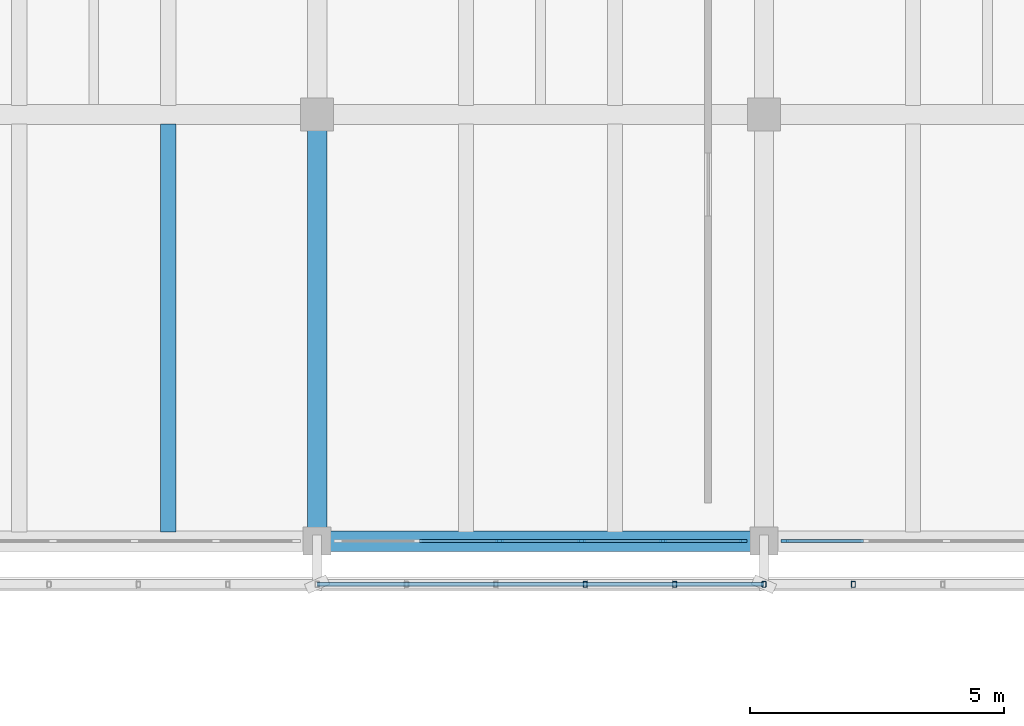
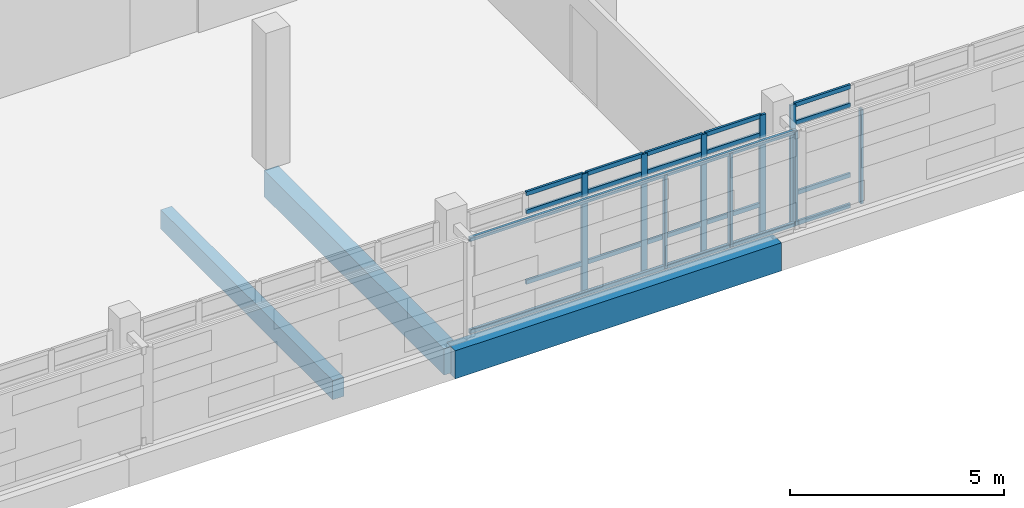
# One storey, part 58 of 117: 31 members, 3 beams, 2 elements without a shape of their own.
"""IFC4 building model written with IfcOpenShell, lengths in metres."""

import ifcopenshell
import ifcopenshell.guid

model = None  # the IFC model being written
_history = None  # IfcOwnerHistory: only IFC2X3 demands one
_inside = {}  # id of a spatial element -> (the spatial element, [elements in it])
_under = {}  # id of a project, library or spatial element -> (it, [spatial elements below it])
_declared = {}  # id of a project -> (the project, [libraries it declares])
_typed = {}  # id of a type object -> (the type object, [elements of that type])
_made_of = {}  # id of a material, layer set ... -> (it, [elements and type objects made of it])


def new_model(schema):
    """Start an empty IFC model of exactly this schema.

    Asked for "IFC4X3", IfcOpenShell would pick the latest addendum, in which some entities
    have other attributes; the version numbers below select the first issue.
    IFC2X3 requires an IfcOwnerHistory on every rooted entity: one is made here for all.
    """
    global model, _history
    if schema == "IFC4X3":
        model = ifcopenshell.file(schema_version=(4, 3, 0, 0))
    else:
        model = ifcopenshell.file(schema=schema)
    _inside.clear()
    _under.clear()
    _declared.clear()
    _typed.clear()
    _made_of.clear()
    _history = None
    if model.schema == "IFC2X3":
        org = make("IfcOrganization", Name="unknown")
        user = make(
            "IfcPersonAndOrganization",
            ThePerson=make("IfcPerson", FamilyName="unknown"),
            TheOrganization=org,
        )
        app = make(
            "IfcApplication",
            ApplicationDeveloper=org,
            Version="unknown",
            ApplicationFullName="unknown",
            ApplicationIdentifier="unknown",
        )
        _history = make(
            "IfcOwnerHistory",
            OwningUser=user,
            OwningApplication=app,
            ChangeAction="ADDED",
            CreationDate=0,
        )
    return model


def make(cls, **values):
    """One entity of the class cls with the attributes given. An attribute that is None is left unset."""
    return model.create_entity(
        cls, **{name: value for name, value in values.items() if value is not None}
    )


def rooted(cls, **values):
    """An entity with a GlobalId (a new one), such as an element, a storey or a relation."""
    return make(cls, GlobalId=ifcopenshell.guid.new(), OwnerHistory=_history, **values)


def si_unit(unit_type, name, prefix=None):
    """IfcSIUnit, for example si_unit("LENGTHUNIT", "METRE", prefix="MILLI")."""
    return make("IfcSIUnit", UnitType=unit_type, Prefix=prefix, Name=name)


def assignment(units):
    """IfcUnitAssignment: the units of a project."""
    return None if units is None else make("IfcUnitAssignment", Units=units)


def point(xyz):
    """IfcCartesianPoint."""
    return None if xyz is None else make("IfcCartesianPoint", Coordinates=xyz)


def direction(xyz):
    """IfcDirection."""
    return None if xyz is None else make("IfcDirection", DirectionRatios=xyz)


def frame(location, z_axis=None, x_axis=None):
    """IfcAxis2Placement3D, a coordinate frame: its origin and axes. An axis left out is left unset."""
    return make(
        "IfcAxis2Placement3D",
        Location=point(location),
        Axis=direction(z_axis),
        RefDirection=direction(x_axis),
    )


def frame_2d(location, x_axis=None):
    """IfcAxis2Placement2D, a coordinate frame in the plane: its origin and x axis."""
    return make(
        "IfcAxis2Placement2D", Location=point(location), RefDirection=direction(x_axis)
    )


def origin():
    """The frame at (0, 0, 0) with its axes left unset."""
    return frame((0.0, 0.0, 0.0))


def origin_2d():
    """The frame at (0, 0) in the plane with its x axis left unset."""
    return frame_2d((0.0, 0.0))


def place(relative_to, where):
    """IfcLocalPlacement: puts the frame where relative to a parent placement (None: the world)."""
    return make(
        "IfcLocalPlacement", PlacementRelTo=relative_to, RelativePlacement=where
    )


def context(
    kind, dimensions, precision=None, world=None, true_north=None, identifier=None
):
    """IfcGeometricRepresentationContext, for example the 3D "Model" context."""
    return make(
        "IfcGeometricRepresentationContext",
        ContextIdentifier=identifier,
        ContextType=kind,
        CoordinateSpaceDimension=dimensions,
        Precision=precision,
        WorldCoordinateSystem=world,
        TrueNorth=true_north,
    )


def subcontext(parent, identifier, kind, view, scale=None):
    """IfcGeometricRepresentationSubContext, for example "Body" below "Model"."""
    return make(
        "IfcGeometricRepresentationSubContext",
        ContextIdentifier=identifier,
        ContextType=kind,
        ParentContext=parent,
        TargetScale=scale,
        TargetView=view,
    )


def project(units=None, contexts=None):
    """IfcProject with its units and contexts."""
    return rooted(
        "IfcProject",
        Name="project",
        RepresentationContexts=contexts,
        UnitsInContext=assignment(units),
    )


def spatial(cls, under=None, at=None, **own):
    """A site, building, storey or space (cls), placed at a placement, below another one or the project."""
    s = rooted(cls, ObjectPlacement=at, **own)
    if under is not None:
        _under.setdefault(under.id(), (under, []))[1].append(s)
    return s


def profile(cls, at=None, kind="AREA", **sizes):
    """A parametric profile (cls). Its sizes go by their IFC names, for example OverallWidth=200.0."""
    return make(cls, ProfileType=kind, Position=at, **sizes)


def rectangle(**sizes):
    """IfcRectangleProfileDef."""
    return profile("IfcRectangleProfileDef", **sizes)


def hollow_rectangle(**sizes):
    """IfcRectangleHollowProfileDef."""
    return profile("IfcRectangleHollowProfileDef", **sizes)


def extrude(swept, where, along, depth):
    """IfcExtrudedAreaSolid: the profile swept, set in the frame where, extruded along a direction by depth."""
    return make(
        "IfcExtrudedAreaSolid",
        SweptArea=swept,
        Position=where,
        ExtrudedDirection=direction(along),
        Depth=depth,
    )


def shape(context_of_items, identifier, shape_type, items):
    """IfcShapeRepresentation: the items that make up one representation, for example the "Body"."""
    return make(
        "IfcShapeRepresentation",
        ContextOfItems=context_of_items,
        RepresentationIdentifier=identifier,
        RepresentationType=shape_type,
        Items=items,
    )


def material(Name=None, Category=None):
    """IfcMaterial."""
    return make("IfcMaterial", Name=Name, Category=Category)


def material_profile(
    of_material, cross_section, Name=None, Category=None, Priority=None
):
    """IfcMaterialProfile: a cross section and its material."""
    return make(
        "IfcMaterialProfile",
        Name=Name,
        Material=of_material,
        Profile=cross_section,
        Priority=Priority,
        Category=Category,
    )


def profile_set(profiles, Name=None, composite=None):
    """IfcMaterialProfileSet."""
    return make(
        "IfcMaterialProfileSet",
        Name=Name,
        MaterialProfiles=profiles,
        CompositeProfile=composite,
    )


def made_of(thing, what):
    """Note that an element or type object is made of a material, layer set ...; save() writes the relation."""
    if what is not None:
        _made_of.setdefault(what.id(), (what, []))[1].append(thing)
    return thing


def type_object(cls, material=None, **own):
    """A type object (cls), such as IfcWallType, which elements share."""
    return made_of(rooted(cls, **own), material)


def element(
    cls,
    number,
    at=None,
    inside=None,
    cuts=None,
    type_object=None,
    material=None,
    context=None,
    identifier="Body",
    shape_type=None,
    held_by="IfcProductDefinitionShape",
    body=None,
    shapes=None,
    **own,
):
    """One element of the class cls, such as IfcWall. Its Tag is "e" and its number.

    at: its placement. inside: the storey or other place that contains it. cuts: it is an
    opening in that element (IfcRelVoidsElement). A single representation is given by context,
    identifier, shape_type and body (its items); several are given by shapes. held_by: the class
    of the entity that holds the representations. save() writes the other relations.
    """
    e = rooted(cls, Tag="e%d" % number, ObjectPlacement=at, **own)
    if body is not None:
        shapes = [shape(context, identifier, shape_type, body)]
    if shapes is not None:
        e.Representation = make(held_by, Representations=shapes)
    if inside is not None:
        _inside.setdefault(inside.id(), (inside, []))[1].append(e)
    if cuts is not None:
        rooted(
            "IfcRelVoidsElement", RelatingBuildingElement=cuts, RelatedOpeningElement=e
        )
    if type_object is not None:
        _typed.setdefault(type_object.id(), (type_object, []))[1].append(e)
    return made_of(e, material)


def aggregate(whole, parts):
    """IfcRelAggregates: a whole, such as a stair, and the parts it consists of."""
    return rooted("IfcRelAggregates", RelatingObject=whole, RelatedObjects=parts)


def save(model, path):
    """Write the relations noted so far, then the file.

    IfcRelAggregates (storeys below a building ...), IfcRelContainedInSpatialStructure (elements
    in a storey), IfcRelDefinesByType, IfcRelAssociatesMaterial and IfcRelDeclares: one each for
    every whole, place, type object, material and project.
    """
    for whole, parts in _under.values():
        aggregate(whole, parts)
    for where, things in _inside.values():
        rooted(
            "IfcRelContainedInSpatialStructure",
            RelatedElements=things,
            RelatingStructure=where,
        )
    for kind, things in _typed.values():
        rooted("IfcRelDefinesByType", RelatedObjects=things, RelatingType=kind)
    for what, things in _made_of.values():
        rooted("IfcRelAssociatesMaterial", RelatedObjects=things, RelatingMaterial=what)
    for by, libraries in _declared.values():
        rooted("IfcRelDeclares", RelatingContext=by, RelatedDefinitions=libraries)
    model.write(path)


model = new_model("IFC4")

# Units and contexts
model_context = context("Model", 3, precision=1e-05, world=origin(), true_north=direction((0.0, 1.0)))
body_context = subcontext(model_context, "Body", "Model", "MODEL_VIEW")
ifc_project = project(units=[si_unit("LENGTHUNIT", "METRE"), si_unit("AREAUNIT", "SQUARE_METRE"), si_unit("VOLUMEUNIT", "CUBIC_METRE"), si_unit("PLANEANGLEUNIT", "RADIAN"), si_unit("MASSUNIT", "GRAM", prefix="KILO")], contexts=[model_context])

# Site, building, storey
site_placement = place(None, origin())
site = spatial("IfcSite", under=ifc_project, at=site_placement, CompositionType="ELEMENT")
building_placement = place(site_placement, origin())
building = spatial("IfcBuilding", under=site, at=building_placement, Name="Cinderway Yard Community Centre", CompositionType="ELEMENT")
storey_placement = place(building_placement, frame((0.0, 0.0, 9.0)))
storey = spatial("IfcBuildingStorey", under=building, at=storey_placement, Name="L02", CompositionType="ELEMENT", Elevation=9.0)

# Curtain wall, members
ifc_material_1 = material(Name="Aluminium 6063-T6", Category="aluminium")
curtain_wall_type = type_object("IfcCurtainWallType", Name="ENV-CW-TYPE-30", PredefinedType="USERDEFINED", material=ifc_material_1)
curtain_wall_1_placement = place(storey_placement, origin())
curtain_wall_1 = element("IfcCurtainWall", 1, at=curtain_wall_1_placement, inside=storey, type_object=curtain_wall_type, Name="V4 Courtyard Curtain Wall ENV-CW-L02-ST-0155", ObjectType="GLAZED CURTAIN WALL", PredefinedType="USERDEFINED")
ifc_material_profile_1 = material_profile(ifc_material_1, rectangle(XDim=0.06005859375, YDim=0.159912109375, at=origin_2d()), Name="Aluminium 6063-T6")
ifc_profile_set_1 = profile_set([ifc_material_profile_1], Name="Aluminium 6063-T6")
member_type_1 = type_object("IfcMemberType", Name="ENV-CW-MULL-150", PredefinedType="MULLION", material=ifc_profile_set_1)
member_1_placement = place(storey_placement, frame((113.99609375, 90.0, 0.0), z_axis=(0.0, 0.0, 1.0), x_axis=(0.0, 1.0, 0.0)))
member_1 = element("IfcMember", 2, at=member_1_placement, type_object=member_type_1, Name="CW-30 mullion 3", PredefinedType="MULLION", context=body_context, shape_type="SweptSolid", body=[
    extrude(rectangle(XDim=0.06005859375, YDim=0.159912109375, at=origin_2d()), origin(), (0.0, 0.0, 1.0), 3.449951171875),
])
member_2_placement = place(storey_placement, frame((115.60400390625, 90.0, 0.0), z_axis=(0.0, 0.0, 1.0), x_axis=(0.0, 1.0, 0.0)))
member_2 = element("IfcMember", 3, at=member_2_placement, type_object=member_type_1, Name="CW-30 mullion 4", PredefinedType="MULLION", context=body_context, shape_type="SweptSolid", body=[
    extrude(rectangle(XDim=0.06005859375, YDim=0.159912109375, at=origin_2d()), origin(), (0.0, 0.0, 1.0), 3.449951171875),
])
member_3_placement = place(storey_placement, frame((117.2119140625, 90.0, 0.0), z_axis=(0.0, 0.0, 1.0), x_axis=(0.0, 1.0, 0.0)))
member_3 = element("IfcMember", 4, at=member_3_placement, type_object=member_type_1, Name="CW-30 mullion 5", PredefinedType="MULLION", context=body_context, shape_type="SweptSolid", body=[
    extrude(rectangle(XDim=0.06005859375, YDim=0.159912109375, at=origin_2d()), origin(), (0.0, 0.0, 1.0), 3.449951171875),
])
member_4_placement = place(storey_placement, frame((118.7900390625, 90.0, 0.0), z_axis=(0.0, 0.0, 1.0), x_axis=(0.0, 1.0, 0.0)))
member_4 = element("IfcMember", 5, at=member_4_placement, type_object=member_type_1, Name="CW-30 mullion 6", PredefinedType="MULLION", context=body_context, shape_type="SweptSolid", body=[
    extrude(rectangle(XDim=0.06005859375, YDim=0.159912109375, at=origin_2d()), origin(), (0.0, 0.0, 1.0), 3.449951171875),
])

# Curtain wall, member
curtain_wall_2_placement = place(storey_placement, origin())
curtain_wall_2 = element("IfcCurtainWall", 6, at=curtain_wall_2_placement, inside=storey, type_object=curtain_wall_type, Name="V4 Courtyard Curtain Wall ENV-CW-L02-ST-0156", ObjectType="GLAZED CURTAIN WALL", PredefinedType="USERDEFINED")
member_5_placement = place(storey_placement, frame((119.610107421875, 90.0, 0.0), z_axis=(0.0, 0.0, 1.0), x_axis=(0.0, 1.0, 0.0)))
member_5 = element("IfcMember", 7, at=member_5_placement, type_object=member_type_1, Name="CW-30 mullion 1", PredefinedType="MULLION", context=body_context, shape_type="SweptSolid", body=[
    extrude(rectangle(XDim=0.06005859375, YDim=0.159912109375, at=origin_2d()), origin(), (0.0, 0.0, 1.0), 3.449951171875),
])

# Member
ifc_material_profile_2 = material_profile(ifc_material_1, rectangle(XDim=0.06005859375, YDim=0.1201171875, at=origin_2d()), Name="Aluminium 6063-T6")
ifc_profile_set_2 = profile_set([ifc_material_profile_2], Name="Aluminium 6063-T6")
member_type_2 = type_object("IfcMemberType", Name="ENV-CW-TRAN-110", PredefinedType="USERDEFINED", material=ifc_profile_set_2)
member_6_placement = place(storey_placement, frame((112.41796875, 90.0, 0.030029296875), z_axis=(1.0, 0.0, 0.0), x_axis=(0.0, 1.0, 0.0)))
member_6 = element("IfcMember", 8, at=member_6_placement, type_object=member_type_2, Name="CW-30 transom 2.1", ObjectType="TRANSOM", PredefinedType="USERDEFINED", context=body_context, shape_type="SweptSolid", body=[
    extrude(rectangle(XDim=0.06005859375, YDim=0.1201171875, at=origin_2d()), origin(), (0.0, 0.0, 1.0), 1.548095703125),
])

member_7_placement = place(storey_placement, frame((112.41796875, 90.0, 0.89990234375), z_axis=(1.0, 0.0, 0.0), x_axis=(0.0, 1.0, 0.0)))
member_7 = element("IfcMember", 9, at=member_7_placement, type_object=member_type_2, Name="CW-30 transom 2.2", ObjectType="TRANSOM", PredefinedType="USERDEFINED", context=body_context, shape_type="SweptSolid", body=[
    extrude(rectangle(XDim=0.06005859375, YDim=0.1201171875, at=origin_2d()), origin(), (0.0, 0.0, 1.0), 1.548095703125),
])

member_8_placement = place(storey_placement, frame((112.41796875, 90.0, 2.89990234375), z_axis=(1.0, 0.0, 0.0), x_axis=(0.0, 1.0, 0.0)))
member_8 = element("IfcMember", 10, at=member_8_placement, type_object=member_type_2, Name="CW-30 transom 2.3", ObjectType="TRANSOM", PredefinedType="USERDEFINED", context=body_context, shape_type="SweptSolid", body=[
    extrude(rectangle(XDim=0.06005859375, YDim=0.1201171875, at=origin_2d()), origin(), (0.0, 0.0, 1.0), 1.548095703125),
])

member_9_placement = place(storey_placement, frame((112.41796875, 90.0, 3.419921875), z_axis=(1.0, 0.0, 0.0), x_axis=(0.0, 1.0, 0.0)))
member_9 = element("IfcMember", 11, at=member_9_placement, type_object=member_type_2, Name="CW-30 transom 2.4", ObjectType="TRANSOM", PredefinedType="USERDEFINED", context=body_context, shape_type="SweptSolid", body=[
    extrude(rectangle(XDim=0.06005859375, YDim=0.1201171875, at=origin_2d()), origin(), (0.0, 0.0, 1.0), 1.548095703125),
])

member_10_placement = place(storey_placement, frame((114.02587890625, 90.0, 0.030029296875), z_axis=(1.0, 0.0, 0.0), x_axis=(0.0, 1.0, 0.0)))
member_10 = element("IfcMember", 12, at=member_10_placement, type_object=member_type_2, Name="CW-30 transom 3.1", ObjectType="TRANSOM", PredefinedType="USERDEFINED", context=body_context, shape_type="SweptSolid", body=[
    extrude(rectangle(XDim=0.06005859375, YDim=0.1201171875, at=origin_2d()), origin(), (0.0, 0.0, 1.0), 1.548095703125),
])

member_11_placement = place(storey_placement, frame((114.02587890625, 90.0, 0.89990234375), z_axis=(1.0, 0.0, 0.0), x_axis=(0.0, 1.0, 0.0)))
member_11 = element("IfcMember", 13, at=member_11_placement, type_object=member_type_2, Name="CW-30 transom 3.2", ObjectType="TRANSOM", PredefinedType="USERDEFINED", context=body_context, shape_type="SweptSolid", body=[
    extrude(rectangle(XDim=0.06005859375, YDim=0.1201171875, at=origin_2d()), origin(), (0.0, 0.0, 1.0), 1.548095703125),
])

member_12_placement = place(storey_placement, frame((114.02587890625, 90.0, 2.89990234375), z_axis=(1.0, 0.0, 0.0), x_axis=(0.0, 1.0, 0.0)))
member_12 = element("IfcMember", 14, at=member_12_placement, type_object=member_type_2, Name="CW-30 transom 3.3", ObjectType="TRANSOM", PredefinedType="USERDEFINED", context=body_context, shape_type="SweptSolid", body=[
    extrude(rectangle(XDim=0.06005859375, YDim=0.1201171875, at=origin_2d()), origin(), (0.0, 0.0, 1.0), 1.548095703125),
])

member_13_placement = place(storey_placement, frame((114.02587890625, 90.0, 3.419921875), z_axis=(1.0, 0.0, 0.0), x_axis=(0.0, 1.0, 0.0)))
member_13 = element("IfcMember", 15, at=member_13_placement, type_object=member_type_2, Name="CW-30 transom 3.4", ObjectType="TRANSOM", PredefinedType="USERDEFINED", context=body_context, shape_type="SweptSolid", body=[
    extrude(rectangle(XDim=0.06005859375, YDim=0.1201171875, at=origin_2d()), origin(), (0.0, 0.0, 1.0), 1.548095703125),
])

member_14_placement = place(storey_placement, frame((115.634033203125, 90.0, 0.030029296875), z_axis=(1.0, 0.0, 0.0), x_axis=(0.0, 1.0, 0.0)))
member_14 = element("IfcMember", 16, at=member_14_placement, type_object=member_type_2, Name="CW-30 transom 4.1", ObjectType="TRANSOM", PredefinedType="USERDEFINED", context=body_context, shape_type="SweptSolid", body=[
    extrude(rectangle(XDim=0.06005859375, YDim=0.1201171875, at=origin_2d()), origin(), (0.0, 0.0, 1.0), 1.5478515625),
])

member_15_placement = place(storey_placement, frame((115.634033203125, 90.0, 0.89990234375), z_axis=(1.0, 0.0, 0.0), x_axis=(0.0, 1.0, 0.0)))
member_15 = element("IfcMember", 17, at=member_15_placement, type_object=member_type_2, Name="CW-30 transom 4.2", ObjectType="TRANSOM", PredefinedType="USERDEFINED", context=body_context, shape_type="SweptSolid", body=[
    extrude(rectangle(XDim=0.06005859375, YDim=0.1201171875, at=origin_2d()), origin(), (0.0, 0.0, 1.0), 1.5478515625),
])

member_16_placement = place(storey_placement, frame((115.634033203125, 90.0, 2.89990234375), z_axis=(1.0, 0.0, 0.0), x_axis=(0.0, 1.0, 0.0)))
member_16 = element("IfcMember", 18, at=member_16_placement, type_object=member_type_2, Name="CW-30 transom 4.3", ObjectType="TRANSOM", PredefinedType="USERDEFINED", context=body_context, shape_type="SweptSolid", body=[
    extrude(rectangle(XDim=0.06005859375, YDim=0.1201171875, at=origin_2d()), origin(), (0.0, 0.0, 1.0), 1.5478515625),
])

member_17_placement = place(storey_placement, frame((115.634033203125, 90.0, 3.419921875), z_axis=(1.0, 0.0, 0.0), x_axis=(0.0, 1.0, 0.0)))
member_17 = element("IfcMember", 19, at=member_17_placement, type_object=member_type_2, Name="CW-30 transom 4.4", ObjectType="TRANSOM", PredefinedType="USERDEFINED", context=body_context, shape_type="SweptSolid", body=[
    extrude(rectangle(XDim=0.06005859375, YDim=0.1201171875, at=origin_2d()), origin(), (0.0, 0.0, 1.0), 1.5478515625),
])

member_18_placement = place(storey_placement, frame((117.241943359375, 90.0, 0.030029296875), z_axis=(1.0, 0.0, 0.0), x_axis=(0.0, 1.0, 0.0)))
member_18 = element("IfcMember", 20, at=member_18_placement, type_object=member_type_2, Name="CW-30 transom 5.1", ObjectType="TRANSOM", PredefinedType="USERDEFINED", context=body_context, shape_type="SweptSolid", body=[
    extrude(rectangle(XDim=0.06005859375, YDim=0.1201171875, at=origin_2d()), origin(), (0.0, 0.0, 1.0), 1.51806640625),
])

member_19_placement = place(storey_placement, frame((117.241943359375, 90.0, 0.89990234375), z_axis=(1.0, 0.0, 0.0), x_axis=(0.0, 1.0, 0.0)))
member_19 = element("IfcMember", 21, at=member_19_placement, type_object=member_type_2, Name="CW-30 transom 5.2", ObjectType="TRANSOM", PredefinedType="USERDEFINED", context=body_context, shape_type="SweptSolid", body=[
    extrude(rectangle(XDim=0.06005859375, YDim=0.1201171875, at=origin_2d()), origin(), (0.0, 0.0, 1.0), 1.51806640625),
])

member_20_placement = place(storey_placement, frame((117.241943359375, 90.0, 2.89990234375), z_axis=(1.0, 0.0, 0.0), x_axis=(0.0, 1.0, 0.0)))
member_20 = element("IfcMember", 22, at=member_20_placement, type_object=member_type_2, Name="CW-30 transom 5.3", ObjectType="TRANSOM", PredefinedType="USERDEFINED", context=body_context, shape_type="SweptSolid", body=[
    extrude(rectangle(XDim=0.06005859375, YDim=0.1201171875, at=origin_2d()), origin(), (0.0, 0.0, 1.0), 1.51806640625),
])

member_21_placement = place(storey_placement, frame((117.241943359375, 90.0, 3.419921875), z_axis=(1.0, 0.0, 0.0), x_axis=(0.0, 1.0, 0.0)))
member_21 = element("IfcMember", 23, at=member_21_placement, type_object=member_type_2, Name="CW-30 transom 5.4", ObjectType="TRANSOM", PredefinedType="USERDEFINED", context=body_context, shape_type="SweptSolid", body=[
    extrude(rectangle(XDim=0.06005859375, YDim=0.1201171875, at=origin_2d()), origin(), (0.0, 0.0, 1.0), 1.51806640625),
])

aggregate(curtain_wall_1, [member_1, member_2, member_3, member_4, member_6, member_7, member_8, member_9, member_10, member_11, member_12, member_13, member_14, member_15, member_16, member_17, member_18, member_19, member_20, member_21])

member_22_placement = place(storey_placement, frame((119.639892578125, 90.0, 0.030029296875), z_axis=(1.0, 0.0, 0.0), x_axis=(0.0, 1.0, 0.0)))
member_22 = element("IfcMember", 24, at=member_22_placement, type_object=member_type_2, Name="CW-30 transom 1.1", ObjectType="TRANSOM", PredefinedType="USERDEFINED", context=body_context, shape_type="SweptSolid", body=[
    extrude(rectangle(XDim=0.06005859375, YDim=0.1201171875, at=origin_2d()), origin(), (0.0, 0.0, 1.0), 1.51806640625),
])

member_23_placement = place(storey_placement, frame((119.639892578125, 90.0, 0.89990234375), z_axis=(1.0, 0.0, 0.0), x_axis=(0.0, 1.0, 0.0)))
member_23 = element("IfcMember", 25, at=member_23_placement, type_object=member_type_2, Name="CW-30 transom 1.2", ObjectType="TRANSOM", PredefinedType="USERDEFINED", context=body_context, shape_type="SweptSolid", body=[
    extrude(rectangle(XDim=0.06005859375, YDim=0.1201171875, at=origin_2d()), origin(), (0.0, 0.0, 1.0), 1.51806640625),
])

member_24_placement = place(storey_placement, frame((119.639892578125, 90.0, 2.89990234375), z_axis=(1.0, 0.0, 0.0), x_axis=(0.0, 1.0, 0.0)))
member_24 = element("IfcMember", 26, at=member_24_placement, type_object=member_type_2, Name="CW-30 transom 1.3", ObjectType="TRANSOM", PredefinedType="USERDEFINED", context=body_context, shape_type="SweptSolid", body=[
    extrude(rectangle(XDim=0.06005859375, YDim=0.1201171875, at=origin_2d()), origin(), (0.0, 0.0, 1.0), 1.51806640625),
])

member_25_placement = place(storey_placement, frame((119.639892578125, 90.0, 3.419921875), z_axis=(1.0, 0.0, 0.0), x_axis=(0.0, 1.0, 0.0)))
member_25 = element("IfcMember", 27, at=member_25_placement, type_object=member_type_2, Name="CW-30 transom 1.4", ObjectType="TRANSOM", PredefinedType="USERDEFINED", context=body_context, shape_type="SweptSolid", body=[
    extrude(rectangle(XDim=0.06005859375, YDim=0.1201171875, at=origin_2d()), origin(), (0.0, 0.0, 1.0), 1.51806640625),
])

aggregate(curtain_wall_2, [member_5, member_22, member_23, member_24, member_25])

# Members
ifc_material_2 = material(Name="Steel S355", Category="steel")
ifc_material_profile_3 = material_profile(ifc_material_2, hollow_rectangle(XDim=0.080078125, YDim=0.1201171875, WallThickness=0.00634765625, InnerFilletRadius=0.00634765625, OuterFilletRadius=0.0126953125, at=origin_2d()), Name="Steel S355")
ifc_profile_set_3 = profile_set([ifc_material_profile_3], Name="Steel S355")
member_type_3 = type_object("IfcMemberType", Name="ENV-MEM-SCREEN-RAIL-120", PredefinedType="STRINGER", material=ifc_profile_set_3)
for number, where, z_axis, x_axis, name in (
    (28, (110.39990234375, 89.14990234375, 0.7099609375), (1.0, 0.0, 0.0), (0.0, 1.0, 0.0), "Screen support rail 0479-BOT"),
    (29, (110.39990234375, 89.14990234375, 3.340087890625), (1.0, 0.0, 0.0), (0.0, 1.0, 0.0), "Screen support rail 0480-TOP"),
):
    element("IfcMember", number, at=place(storey_placement, frame(where, z_axis=z_axis, x_axis=x_axis)), inside=storey, type_object=member_type_3, Name=name, PredefinedType="STRINGER", context=body_context, shape_type="SweptSolid", body=[
        extrude(hollow_rectangle(XDim=0.080078125, YDim=0.1201171875, WallThickness=0.00634765625, InnerFilletRadius=0.00634765625, OuterFilletRadius=0.0126953125, at=origin_2d()), origin(), (0.0, 0.0, 1.0), 8.800048828125),
    ])
for number, where, z_axis, x_axis, name in (
    (30, (115.679931640625, 89.14990234375, 0.68994140625), (0.0, 0.0, 1.0), (1.0, 0.0, 0.0), "Screen vertical mullion 0483"),
    (31, (117.43994140625, 89.14990234375, 0.68994140625), (0.0, 0.0, 1.0), (1.0, 0.0, 0.0), "Screen vertical mullion 0484"),
    (32, (119.199951171875, 89.14990234375, 0.68994140625), (0.0, 0.0, 1.0), (1.0, 0.0, 0.0), "Screen vertical mullion 0485"),
    (33, (120.9599609375, 89.14990234375, 0.68994140625), (0.0, 0.0, 1.0), (1.0, 0.0, 0.0), "Screen vertical mullion 0489"),
):
    element("IfcMember", number, at=place(storey_placement, frame(where, z_axis=z_axis, x_axis=x_axis)), inside=storey, type_object=member_type_3, Name=name, PredefinedType="STRINGER", context=body_context, shape_type="SweptSolid", body=[
        extrude(hollow_rectangle(XDim=0.080078125, YDim=0.1201171875, WallThickness=0.00634765625, InnerFilletRadius=0.00634765625, OuterFilletRadius=0.0126953125, at=origin_2d()), origin(), (0.0, 0.0, 1.0), 2.670166015625),
    ])

# Beams
ifc_material_3 = material(Name="Concrete C35/45", Category="concrete")
ifc_material_profile_4 = material_profile(ifc_material_3, rectangle(XDim=0.300048828125, YDim=0.550048828125, at=origin_2d()), Name="Concrete C35/45")
ifc_profile_set_4 = profile_set([ifc_material_profile_4], Name="Concrete C35/45")
beam_type_1 = type_object("IfcBeamType", Name="STR-BM-RC300X550", PredefinedType="JOIST", material=ifc_profile_set_4)
beam_1_placement = place(storey_placement, frame((107.467041015625, 90.181884765625, -0.514892578125), z_axis=(0.0, 1.0, 0.0), x_axis=(-1.0, 0.0, 0.0)))
element("IfcBeam", 34, at=beam_1_placement, inside=storey, type_object=beam_type_1, Name="Secondary joist STR-BM-L02-BJ03-0622", PredefinedType="JOIST", context=body_context, shape_type="SweptSolid", body=[
    extrude(rectangle(XDim=0.300048828125, YDim=0.550048828125, at=origin_2d()), origin(), (0.0, 0.0, 1.0), 8.0361328125),
])
ifc_material_profile_5 = material_profile(ifc_material_3, rectangle(XDim=0.3798828125, YDim=0.75, at=origin_2d()), Name="Concrete C35/45")
ifc_profile_set_5 = profile_set([ifc_material_profile_5], Name="Concrete C35/45")
beam_type_2 = type_object("IfcBeamType", Name="STR-BM-RC380X750", PredefinedType="BEAM", material=ifc_profile_set_5)
beam_2_placement = place(storey_placement, frame((110.39990234375, 90.0, -0.614990234375), z_axis=(0.0, 1.0, 0.0), x_axis=(-1.0, 0.0, 0.0)))
element("IfcBeam", 35, at=beam_2_placement, inside=storey, type_object=beam_type_2, Name="Transverse girder STR-BM-L02-BG06-0568", PredefinedType="BEAM", context=body_context, shape_type="SweptSolid", body=[
    extrude(rectangle(XDim=0.3798828125, YDim=0.75, at=origin_2d()), origin(), (0.0, 0.0, 1.0), 8.39990234375),
])
ifc_material_4 = material(Name="Concrete C40/50", Category="concrete")
ifc_material_profile_6 = material_profile(ifc_material_4, rectangle(XDim=0.39990234375, YDim=0.800048828125, at=origin_2d()), Name="Concrete C40/50")
ifc_profile_set_6 = profile_set([ifc_material_profile_6], Name="Concrete C40/50")
beam_type_3 = type_object("IfcBeamType", Name="STR-BM-RC400X800", PredefinedType="BEAM", material=ifc_profile_set_6)
beam_3_placement = place(storey_placement, frame((110.39990234375, 90.0, -0.639892578125), z_axis=(1.0, 0.0, 0.0), x_axis=(0.0, 1.0, 0.0)))
element("IfcBeam", 36, at=beam_3_placement, inside=storey, type_object=beam_type_3, Name="Primary girder STR-BM-L02-BG05-0504", PredefinedType="BEAM", context=body_context, shape_type="SweptSolid", body=[
    extrude(rectangle(XDim=0.39990234375, YDim=0.800048828125, at=origin_2d()), origin(), (0.0, 0.0, 1.0), 8.800048828125),
])

save(model, "model.ifc")
